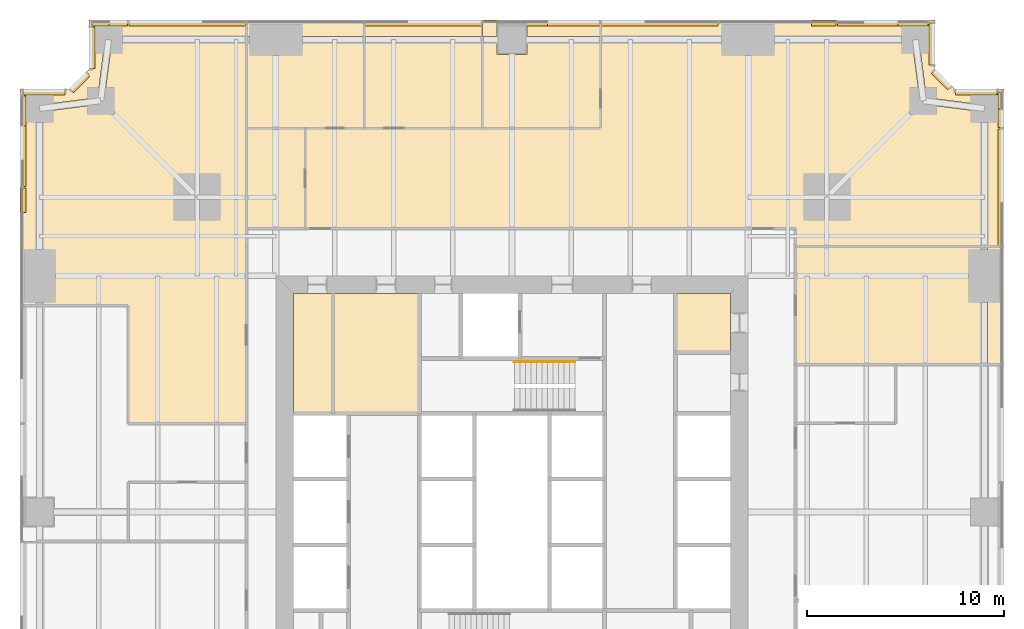
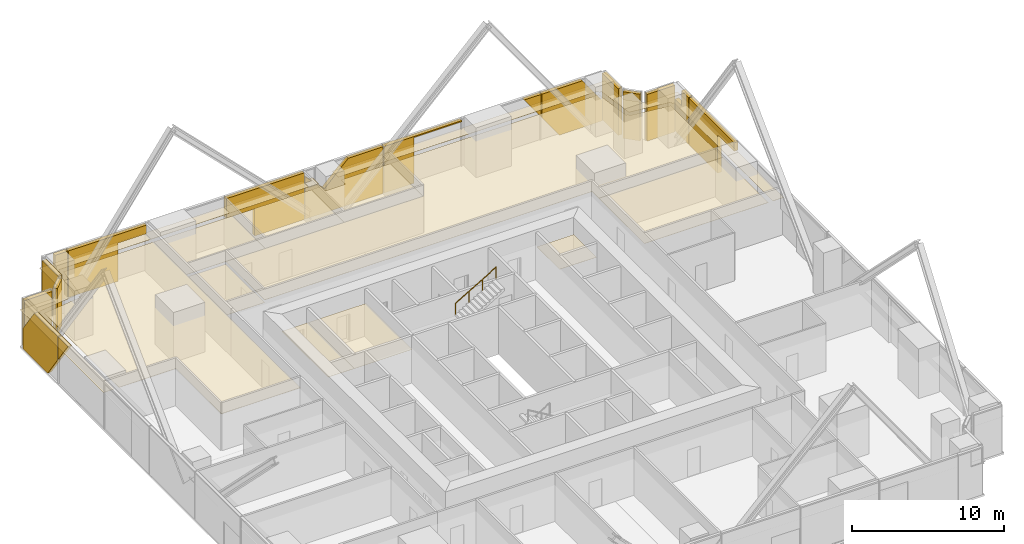
# One storey, part 13 of 13: 34 coverings, 1 railing.
"""IFC4 building model written with IfcOpenShell, lengths in metres."""

from ifc_helpers import new_model, si_unit, direction, frame, origin, origin_2d, place, context, subcontext, project, spatial, polyline, circle, outline, extrude, material, layer, layer_set, type_object, element, save


model = new_model("IFC4")

# Units and contexts
model_context = context("Model", 3, precision=1e-05, world=origin(), true_north=direction((0.0, 1.0)))
body_context = subcontext(model_context, "Body", "Model", "MODEL_VIEW")
ifc_project = project(units=[si_unit("LENGTHUNIT", "METRE"), si_unit("AREAUNIT", "SQUARE_METRE"), si_unit("VOLUMEUNIT", "CUBIC_METRE"), si_unit("PLANEANGLEUNIT", "RADIAN"), si_unit("MASSUNIT", "GRAM", prefix="KILO")], contexts=[model_context])

# Site, building, storey
site_placement = place(None, origin())
site = spatial("IfcSite", under=ifc_project, at=site_placement, CompositionType="ELEMENT")
building_placement = place(site_placement, origin())
building = spatial("IfcBuilding", under=site, at=building_placement, Name="Fenwick Lantern Interchange", CompositionType="ELEMENT")
storey_placement = place(building_placement, frame((0.0, 0.0, 67.0)))
storey = spatial("IfcBuildingStorey", under=building, at=storey_placement, Name="L15", CompositionType="ELEMENT", Elevation=67.0)

# Coverings
ifc_material_1 = material(Name="Mineral fibre acoustic tile on suspended grid")
ifc_layer_1 = layer(ifc_material_1, 0.02001953125)
ifc_layer_set_1 = layer_set([ifc_layer_1], Name="ACOUSTIC TILE CEILING 20")
covering_type_1 = type_object("IfcCoveringType", Name="ACOUSTIC TILE CEILING 20", PredefinedType="CEILING", material=ifc_layer_set_1)
covering_1_placement = place(storey_placement, frame((0.0, 0.0, 2.89990234375)))
element("IfcCovering", 1, at=covering_1_placement, inside=storey, type_object=covering_type_1, Name="Office suite ceiling", PredefinedType="CEILING", context=body_context, shape_type="SweptSolid", body=[
    extrude(outline(polyline([(39.39990234375, 32.5), (48.82763671875, 32.5), (48.82763671875, 37.0), (48.82763671875, 38.5), (39.39990234375, 38.5), (39.39990234375, 32.5)])), origin(), (0.0, 0.0, 1.0), 0.02001953125),
])
covering_2_placement = place(storey_placement, frame((0.0, 0.0, 2.89990234375)))
element("IfcCovering", 2, at=covering_2_placement, inside=storey, type_object=covering_type_1, Name="Office suite ceiling", PredefinedType="CEILING", context=body_context, shape_type="SweptSolid", body=[
    extrude(outline(polyline([(50.0, 32.5), (50.0, 38.5), (49.17236328125, 38.5), (49.17236328125, 37.0), (49.17236328125, 32.5), (50.0, 32.5)])), origin(), (0.0, 0.0, 1.0), 0.02001953125),
])
covering_3_placement = place(storey_placement, frame((0.0, 0.0, 2.89990234375)))
element("IfcCovering", 3, at=covering_3_placement, inside=storey, type_object=covering_type_1, Name="Office suite ceiling", PredefinedType="CEILING", context=body_context, shape_type="SweptSolid", body=[
    extrude(outline(polyline([(39.39990234375, 38.5), (48.82763671875, 38.5), (48.82763671875, 45.348388671875), (45.8779296875, 45.72900390625), (45.89990234375, 45.89990234375), (45.72900390625, 45.8779296875), (45.348388671875, 48.82763671875), (37.0, 48.82763671875), (29.5, 48.82763671875), (29.5, 44.5), (14.5, 44.5), (14.5, 39.39990234375), (39.39990234375, 39.39990234375), (39.39990234375, 38.5)])), origin(), (0.0, 0.0, 1.0), 0.02001953125),
])
covering_4_placement = place(storey_placement, frame((0.0, 0.0, 2.89990234375)))
element("IfcCovering", 4, at=covering_4_placement, inside=storey, type_object=covering_type_1, Name="Office suite ceiling", PredefinedType="CEILING", context=body_context, shape_type="SweptSolid", body=[
    extrude(outline(polyline([(46.5, 50.0), (29.5, 50.0), (29.5, 49.17236328125), (37.0, 49.17236328125), (45.5, 49.17236328125), (45.5, 49.0), (45.6708984375, 49.02197265625), (46.053955078125, 46.053955078125), (49.02197265625, 45.6708984375), (49.0, 45.5), (49.17236328125, 45.5), (49.17236328125, 38.5), (50.0, 38.5), (50.0, 46.5), (47.5, 46.5), (46.5, 47.5), (46.5, 50.0)])), origin(), (0.0, 0.0, 1.0), 0.02001953125),
])
covering_5_placement = place(storey_placement, frame((0.0, 0.0, 2.89990234375)))
element("IfcCovering", 5, at=covering_5_placement, inside=storey, type_object=covering_type_1, Name="Office ceiling", PredefinedType="CEILING", context=body_context, shape_type="SweptSolid", body=[
    extrude(outline(polyline([(29.5, 44.5), (29.5, 48.82763671875), (25.75, 48.82763671875), (25.75, 48.25), (24.25, 48.25), (24.25, 48.82763671875), (23.5, 48.82763671875), (23.5, 44.5), (29.5, 44.5)])), origin(), (0.0, 0.0, 1.0), 0.02001953125),
])
covering_6_placement = place(storey_placement, frame((0.0, 0.0, 2.89990234375)))
element("IfcCovering", 6, at=covering_6_placement, inside=storey, type_object=covering_type_1, Name="Office ceiling", PredefinedType="CEILING", context=body_context, shape_type="SweptSolid", body=[
    extrude(outline(polyline([(29.5, 49.17236328125), (29.5, 50.0), (25.75, 50.0), (25.75, 49.17236328125), (29.5, 49.17236328125)])), origin(), (0.0, 0.0, 1.0), 0.02001953125),
])
covering_7_placement = place(storey_placement, frame((0.0, 0.0, 2.89990234375)))
element("IfcCovering", 7, at=covering_7_placement, inside=storey, type_object=covering_type_1, Name="Office ceiling", PredefinedType="CEILING", context=body_context, shape_type="SweptSolid", body=[
    extrude(outline(polyline([(23.5, 50.0), (23.5, 49.17236328125), (24.25, 49.17236328125), (24.25, 50.0), (23.5, 50.0)])), origin(), (0.0, 0.0, 1.0), 0.02001953125),
])
covering_8_placement = place(storey_placement, frame((0.0, 0.0, 2.89990234375)))
element("IfcCovering", 8, at=covering_8_placement, inside=storey, type_object=covering_type_1, Name="Meeting room ceiling", PredefinedType="CEILING", context=body_context, shape_type="SweptSolid", body=[
    extrude(outline(polyline([(23.5, 44.5), (23.5, 48.82763671875), (17.5, 48.82763671875), (17.5, 44.5), (23.5, 44.5)])), origin(), (0.0, 0.0, 1.0), 0.02001953125),
])
covering_9_placement = place(storey_placement, frame((0.0, 0.0, 2.89990234375)))
element("IfcCovering", 9, at=covering_9_placement, inside=storey, type_object=covering_type_1, Name="Meeting room ceiling", PredefinedType="CEILING", context=body_context, shape_type="SweptSolid", body=[
    extrude(outline(polyline([(17.5, 50.0), (17.5, 49.17236328125), (23.5, 49.17236328125), (23.5, 50.0), (17.5, 50.0)])), origin(), (0.0, 0.0, 1.0), 0.02001953125),
])
covering_10_placement = place(storey_placement, frame((0.0, 0.0, 2.89990234375)))
element("IfcCovering", 10, at=covering_10_placement, inside=storey, type_object=covering_type_1, Name="Office ceiling", PredefinedType="CEILING", context=body_context, shape_type="SweptSolid", body=[
    extrude(outline(polyline([(17.5, 44.5), (17.5, 48.82763671875), (13.0, 48.82763671875), (11.5, 48.82763671875), (11.5, 44.5), (17.5, 44.5)])), origin(), (0.0, 0.0, 1.0), 0.02001953125),
])
covering_11_placement = place(storey_placement, frame((0.0, 0.0, 2.89990234375)))
element("IfcCovering", 11, at=covering_11_placement, inside=storey, type_object=covering_type_1, Name="Office ceiling", PredefinedType="CEILING", context=body_context, shape_type="SweptSolid", body=[
    extrude(outline(polyline([(11.5, 50.0), (11.5, 49.17236328125), (13.0, 49.17236328125), (17.5, 49.17236328125), (17.5, 50.0), (11.5, 50.0)])), origin(), (0.0, 0.0, 1.0), 0.02001953125),
])
covering_12_placement = place(storey_placement, frame((0.0, 0.0, 2.89990234375)))
element("IfcCovering", 12, at=covering_12_placement, inside=storey, type_object=covering_type_1, Name="Office suite ceiling", PredefinedType="CEILING", context=body_context, shape_type="SweptSolid", body=[
    extrude(outline(polyline([(11.5, 29.5), (11.5, 48.82763671875), (4.651611328125, 48.82763671875), (4.27099609375, 45.8779296875), (4.10009765625, 45.89990234375), (4.1220703125, 45.72900390625), (1.17236328125, 45.348388671875), (1.17236328125, 37.0), (1.17236328125, 35.5), (5.5, 35.5), (5.5, 29.5), (11.5, 29.5)])), origin(), (0.0, 0.0, 1.0), 0.02001953125),
])
covering_13_placement = place(storey_placement, frame((0.0, 0.0, 2.89990234375)))
element("IfcCovering", 13, at=covering_13_placement, inside=storey, type_object=covering_type_1, Name="Office suite ceiling", PredefinedType="CEILING", context=body_context, shape_type="SweptSolid", body=[
    extrude(outline(polyline([(3.5, 47.5), (2.5, 46.5), (0.0, 46.5), (0.0, 35.5), (0.82763671875, 35.5), (0.82763671875, 37.0), (0.82763671875, 45.5), (1.0, 45.5), (0.97802734375, 45.6708984375), (3.946044921875, 46.053955078125), (4.3291015625, 49.02197265625), (4.5, 49.0), (4.5, 49.17236328125), (11.5, 49.17236328125), (11.5, 50.0), (3.5, 50.0), (3.5, 47.5)])), origin(), (0.0, 0.0, 1.0), 0.02001953125),
])
ifc_material_2 = material(Name="Granite cladding, warm grey flamed finish, on aluminium carrier frame", Category="masonry")
ifc_layer_2 = layer(ifc_material_2, 0.300048828125)
ifc_layer_set_2 = layer_set([ifc_layer_2], Name="BRACE CASING PANEL 300")
covering_type_2 = type_object("IfcCoveringType", Name="BRACE CASING PANEL 300", PredefinedType="CLADDING", material=ifc_layer_set_2)
covering_14_placement = place(storey_placement, frame((49.89990234375, 3.60009765625, 0.0), z_axis=(0.0, 0.0, 1.0), x_axis=(0.0, 1.0, 0.0)))
element("IfcCovering", 14, at=covering_14_placement, inside=storey, type_object=covering_type_2, Name="Brace casing 05 bay 06a", PredefinedType="CLADDING", context=body_context, shape_type="SweptSolid", body=[
    extrude(outline(polyline([(37.097412109375, 0.0), (40.867431640625, 0.0), (40.867431640625, 3.75), (34.9326171875, 3.75), (34.9326171875, 3.059814453125), (37.097412109375, 3.059814453125), (37.097412109375, 0.0)])), frame((0.0, 0.2001953125, 0.0), z_axis=(0.0, -1.0, 0.0), x_axis=(1.0, 0.0, 0.0)), (0.0, 0.0, 1.0), 0.300048828125),
])
covering_15_placement = place(storey_placement, frame((49.89990234375, 3.60009765625, 0.0), z_axis=(0.0, 0.0, 1.0), x_axis=(0.0, 1.0, 0.0)))
element("IfcCovering", 15, at=covering_15_placement, inside=storey, type_object=covering_type_2, Name="Brace casing 05 bay 07a", PredefinedType="CLADDING", context=body_context, shape_type="SweptSolid", body=[
    extrude(outline(polyline([(40.9326171875, 0.0), (42.735107421875, 0.0), (42.735107421875, 2.54296875), (41.875244140625, 2.54296875), (41.875244140625, 3.75), (40.9326171875, 3.75), (40.9326171875, 0.0)])), frame((0.0, 0.2001953125, 0.0), z_axis=(0.0, -1.0, 0.0), x_axis=(1.0, 0.0, 0.0)), (0.0, 0.0, 1.0), 0.300048828125),
])
covering_16_placement = place(storey_placement, frame((49.89990234375, 46.39990234375, 0.0), z_axis=(0.0, 0.0, 1.0), x_axis=(-1.0, 0.0, 0.0)))
element("IfcCovering", 16, at=covering_16_placement, inside=storey, type_object=covering_type_2, Name="Brace casing 06 bay 00a", PredefinedType="CLADDING", context=body_context, shape_type="SweptSolid", body=[
    extrude(outline(polyline([(0.264892578125, 0.0), (2.37646484375, 0.0), (2.37646484375, 3.75), (0.264892578125, 3.75), (0.264892578125, 0.0)])), frame((0.0, 0.2001953125, 0.0), z_axis=(0.0, -1.0, 0.0), x_axis=(1.0, 0.0, 0.0)), (0.0, 0.0, 1.0), 0.300048828125),
])
covering_17_placement = place(storey_placement, frame((47.45849609375, 46.39990234375, 0.0), z_axis=(0.0, 0.0, 1.0), x_axis=(-0.707106781187, 0.707106781187, 0.0)))
element("IfcCovering", 17, at=covering_17_placement, inside=storey, type_object=covering_type_2, Name="Brace casing 07 bay 00a", PredefinedType="CLADDING", context=body_context, shape_type="SweptSolid", body=[
    extrude(outline(polyline([(0.264892578125, 0.0), (1.43212890625, 0.0), (1.43212890625, 3.75), (0.264892578125, 3.75), (0.264892578125, 0.0)])), frame((0.0, 0.2001953125, 0.0), z_axis=(0.0, -1.0, 0.0), x_axis=(1.0, 0.0, 0.0)), (0.0, 0.0, 1.0), 0.300048828125),
])
covering_18_placement = place(storey_placement, frame((46.39990234375, 47.45849609375, 0.0), z_axis=(0.0, 0.0, 1.0), x_axis=(0.0, 1.0, 0.0)))
element("IfcCovering", 18, at=covering_18_placement, inside=storey, type_object=covering_type_2, Name="Brace casing 08 bay 00a", PredefinedType="CLADDING", context=body_context, shape_type="SweptSolid", body=[
    extrude(outline(polyline([(0.264892578125, 0.0), (2.37646484375, 0.0), (2.37646484375, 3.75), (0.264892578125, 3.75), (0.264892578125, 0.0)])), frame((0.0, 0.2001953125, 0.0), z_axis=(0.0, -1.0, 0.0), x_axis=(1.0, 0.0, 0.0)), (0.0, 0.0, 1.0), 0.300048828125),
])
covering_19_placement = place(storey_placement, frame((46.39990234375, 49.89990234375, 0.0), z_axis=(0.0, 0.0, 1.0), x_axis=(-1.0, 0.0, 0.0)))
element("IfcCovering", 19, at=covering_19_placement, inside=storey, type_object=covering_type_2, Name="Brace casing 09 bay 00a", PredefinedType="CLADDING", context=body_context, shape_type="SweptSolid", body=[
    extrude(outline(polyline([(0.264892578125, 0.0), (3.53515625, 0.0), (4.867431640625, 1.881103515625), (4.867431640625, 3.75), (1.77978515625, 3.75), (0.264892578125, 1.611572265625), (0.264892578125, 0.0)])), frame((0.0, 0.2001953125, 0.0), z_axis=(0.0, -1.0, 0.0), x_axis=(1.0, 0.0, 0.0)), (0.0, 0.0, 1.0), 0.300048828125),
])
covering_20_placement = place(storey_placement, frame((46.39990234375, 49.89990234375, 1.972900390625), z_axis=(0.0, 0.0, 1.0), x_axis=(-1.0, 0.0, 0.0)))
element("IfcCovering", 20, at=covering_20_placement, inside=storey, type_object=covering_type_2, Name="Brace casing 09 bay 01a", PredefinedType="CLADDING", context=body_context, shape_type="SweptSolid", body=[
    extrude(outline(polyline([(4.9326171875, 0.0), (6.19140625, 1.777099609375), (4.9326171875, 1.777099609375), (4.9326171875, 0.0)])), frame((0.0, 0.2001953125, 0.0), z_axis=(0.0, -1.0, 0.0), x_axis=(1.0, 0.0, 0.0)), (0.0, 0.0, 1.0), 0.300048828125),
])
covering_21_placement = place(storey_placement, frame((46.39990234375, 49.89990234375, 0.0), z_axis=(0.0, 0.0, 1.0), x_axis=(-1.0, 0.0, 0.0)))
element("IfcCovering", 21, at=covering_21_placement, inside=storey, type_object=covering_type_2, Name="Brace casing 09 bay 02a", PredefinedType="CLADDING", context=body_context, shape_type="SweptSolid", body=[
    extrude(outline(polyline([(14.592529296875, 0.0), (16.867431640625, 0.0), (16.867431640625, 3.75), (10.9326171875, 3.75), (10.9326171875, 3.656005859375), (14.592529296875, 3.656005859375), (14.592529296875, 0.0)])), frame((0.0, 0.2001953125, 0.0), z_axis=(0.0, -1.0, 0.0), x_axis=(1.0, 0.0, 0.0)), (0.0, 0.0, 1.0), 0.300048828125),
])
covering_22_placement = place(storey_placement, frame((46.39990234375, 49.89990234375, 0.0), z_axis=(0.0, 0.0, 1.0), x_axis=(-1.0, 0.0, 0.0)))
element("IfcCovering", 22, at=covering_22_placement, inside=storey, type_object=covering_type_2, Name="Brace casing 09 bay 03a", PredefinedType="CLADDING", context=body_context, shape_type="SweptSolid", body=[
    extrude(outline(polyline([(16.9326171875, 0.0), (22.867431640625, 0.0), (22.867431640625, 3.406982421875), (21.39990234375, 1.939453125), (19.589599609375, 3.75), (16.9326171875, 3.75), (16.9326171875, 0.0)])), frame((0.0, 0.2001953125, 0.0), z_axis=(0.0, -1.0, 0.0), x_axis=(1.0, 0.0, 0.0)), (0.0, 0.0, 1.0), 0.300048828125),
])
covering_23_placement = place(storey_placement, frame((46.39990234375, 49.89990234375, 0.0), z_axis=(0.0, 0.0, 1.0), x_axis=(-1.0, 0.0, 0.0)))
element("IfcCovering", 23, at=covering_23_placement, inside=storey, type_object=covering_type_2, Name="Brace casing 09 bay 04a", PredefinedType="CLADDING", context=body_context, shape_type="SweptSolid", body=[
    extrude(outline(polyline([(22.9326171875, 0.0), (26.711669921875, 0.0), (26.711669921875, 2.159912109375), (28.867431640625, 2.159912109375), (28.867431640625, 3.75), (22.9326171875, 3.75), (22.9326171875, 0.0)])), frame((0.0, 0.2001953125, 0.0), z_axis=(0.0, -1.0, 0.0), x_axis=(1.0, 0.0, 0.0)), (0.0, 0.0, 1.0), 0.300048828125),
])
covering_24_placement = place(storey_placement, frame((46.39990234375, 49.89990234375, 0.0), z_axis=(0.0, 0.0, 1.0), x_axis=(-1.0, 0.0, 0.0)))
element("IfcCovering", 24, at=covering_24_placement, inside=storey, type_object=covering_type_2, Name="Brace casing 09 bay 06a", PredefinedType="CLADDING", context=body_context, shape_type="SweptSolid", body=[
    extrude(outline(polyline([(37.097412109375, 0.0), (40.867431640625, 0.0), (40.867431640625, 3.75), (34.9326171875, 3.75), (34.9326171875, 3.059814453125), (37.097412109375, 3.059814453125), (37.097412109375, 0.0)])), frame((0.0, 0.2001953125, 0.0), z_axis=(0.0, -1.0, 0.0), x_axis=(1.0, 0.0, 0.0)), (0.0, 0.0, 1.0), 0.300048828125),
])
covering_25_placement = place(storey_placement, frame((46.39990234375, 49.89990234375, 0.0), z_axis=(0.0, 0.0, 1.0), x_axis=(-1.0, 0.0, 0.0)))
element("IfcCovering", 25, at=covering_25_placement, inside=storey, type_object=covering_type_2, Name="Brace casing 09 bay 07a", PredefinedType="CLADDING", context=body_context, shape_type="SweptSolid", body=[
    extrude(outline(polyline([(40.9326171875, 0.0), (42.735107421875, 0.0), (42.735107421875, 2.54296875), (41.875244140625, 2.54296875), (41.875244140625, 3.75), (40.9326171875, 3.75), (40.9326171875, 0.0)])), frame((0.0, 0.2001953125, 0.0), z_axis=(0.0, -1.0, 0.0), x_axis=(1.0, 0.0, 0.0)), (0.0, 0.0, 1.0), 0.300048828125),
])
covering_26_placement = place(storey_placement, frame((3.60009765625, 49.89990234375, 0.0), z_axis=(0.0, 0.0, 1.0), x_axis=(0.0, -1.0, 0.0)))
element("IfcCovering", 26, at=covering_26_placement, inside=storey, type_object=covering_type_2, Name="Brace casing 10 bay 00a", PredefinedType="CLADDING", context=body_context, shape_type="SweptSolid", body=[
    extrude(outline(polyline([(0.264892578125, 0.0), (2.37646484375, 0.0), (2.37646484375, 3.75), (0.264892578125, 3.75), (0.264892578125, 0.0)])), frame((0.0, 0.2001953125, 0.0), z_axis=(0.0, -1.0, 0.0), x_axis=(1.0, 0.0, 0.0)), (0.0, 0.0, 1.0), 0.300048828125),
])
covering_27_placement = place(storey_placement, frame((3.60009765625, 47.45849609375, 0.0), z_axis=(0.0, 0.0, 1.0), x_axis=(-0.707106781187, -0.707106781187, 0.0)))
element("IfcCovering", 27, at=covering_27_placement, inside=storey, type_object=covering_type_2, Name="Brace casing 11 bay 00a", PredefinedType="CLADDING", context=body_context, shape_type="SweptSolid", body=[
    extrude(outline(polyline([(0.264892578125, 0.0), (1.43212890625, 0.0), (1.43212890625, 3.75), (0.264892578125, 3.75), (0.264892578125, 0.0)])), frame((0.0, 0.2001953125, 0.0), z_axis=(0.0, -1.0, 0.0), x_axis=(1.0, 0.0, 0.0)), (0.0, 0.0, 1.0), 0.300048828125),
])
covering_28_placement = place(storey_placement, frame((2.54150390625, 46.39990234375, 0.0), z_axis=(0.0, 0.0, 1.0), x_axis=(-1.0, 0.0, 0.0)))
element("IfcCovering", 28, at=covering_28_placement, inside=storey, type_object=covering_type_2, Name="Brace casing 12 bay 00a", PredefinedType="CLADDING", context=body_context, shape_type="SweptSolid", body=[
    extrude(outline(polyline([(0.264892578125, 0.0), (2.37646484375, 0.0), (2.37646484375, 3.75), (0.264892578125, 3.75), (0.264892578125, 0.0)])), frame((0.0, 0.2001953125, 0.0), z_axis=(0.0, -1.0, 0.0), x_axis=(1.0, 0.0, 0.0)), (0.0, 0.0, 1.0), 0.300048828125),
])
covering_29_placement = place(storey_placement, frame((0.10009765625, 46.39990234375, 0.0), z_axis=(0.0, 0.0, 1.0), x_axis=(0.0, -1.0, 0.0)))
element("IfcCovering", 29, at=covering_29_placement, inside=storey, type_object=covering_type_2, Name="Brace casing 13 bay 00a", PredefinedType="CLADDING", context=body_context, shape_type="SweptSolid", body=[
    extrude(outline(polyline([(0.264892578125, 0.0), (3.53515625, 0.0), (4.867431640625, 1.881103515625), (4.867431640625, 3.75), (1.77978515625, 3.75), (0.264892578125, 1.611572265625), (0.264892578125, 0.0)])), frame((0.0, 0.2001953125, 0.0), z_axis=(0.0, -1.0, 0.0), x_axis=(1.0, 0.0, 0.0)), (0.0, 0.0, 1.0), 0.300048828125),
])
covering_30_placement = place(storey_placement, frame((0.10009765625, 46.39990234375, 1.972900390625), z_axis=(0.0, 0.0, 1.0), x_axis=(0.0, -1.0, 0.0)))
element("IfcCovering", 30, at=covering_30_placement, inside=storey, type_object=covering_type_2, Name="Brace casing 13 bay 01a", PredefinedType="CLADDING", context=body_context, shape_type="SweptSolid", body=[
    extrude(outline(polyline([(4.9326171875, 0.0), (6.19140625, 1.777099609375), (4.9326171875, 1.777099609375), (4.9326171875, 0.0)])), frame((0.0, 0.2001953125, 0.0), z_axis=(0.0, -1.0, 0.0), x_axis=(1.0, 0.0, 0.0)), (0.0, 0.0, 1.0), 0.300048828125),
])

# Railing
ifc_material_3 = material(Name="Stainless steel handrail", Category="steel")
railing_type = type_object("IfcRailingType", Name="HANDRAIL 900", PredefinedType="HANDRAIL", material=ifc_material_3)
railing_placement = place(storey_placement, frame((25.1201171875, 32.6259765625, 2.166748046875)))
element("IfcRailing", 31, at=railing_placement, inside=storey, type_object=railing_type, Name="L15/STAIR/ST2/HR2", PredefinedType="HANDRAIL", context=body_context, shape_type="SweptSolid", body=[
    extrude(circle(Radius=0.02392578125, at=origin_2d()), frame((0.0, 0.0, 0.8759765625), z_axis=(0.859290745958, 0.0, 0.51148745235), x_axis=(0.0, 1.0, 0.0)), (0.0, 0.0, 1.0), 3.584228515625),
    extrude(circle(Radius=0.02099609375, at=origin_2d()), origin(), (0.0, 0.0, 1.0), 0.851806640625),
    extrude(circle(Radius=0.02099609375, at=origin_2d()), frame((1.026611328125, 0.0, 0.611083984375)), (0.0, 0.0, 1.0), 0.851806640625),
    extrude(circle(Radius=0.02099609375, at=origin_2d()), frame((2.05322265625, 0.0, 1.22216796875)), (0.0, 0.0, 1.0), 0.851806640625),
    extrude(circle(Radius=0.02099609375, at=origin_2d()), frame((3.079833984375, 0.0, 1.833251953125)), (0.0, 0.0, 1.0), 0.851806640625),
])

# Coverings
ifc_material_4 = material(Name="Moisture resistant gypsum board on suspended frame, painted")
ifc_layer_3 = layer(ifc_material_4, 0.014892578125)
ifc_layer_set_3 = layer_set([ifc_layer_3], Name="MOISTURE RESISTANT CEILING 15")
covering_type_3 = type_object("IfcCoveringType", Name="MOISTURE RESISTANT CEILING 15", PredefinedType="CEILING", material=ifc_layer_set_3)
covering_31_placement = place(storey_placement, frame((0.0, 0.0, 2.60009765625)))
element("IfcCovering", 32, at=covering_31_placement, inside=storey, type_object=covering_type_3, Name="Women's WC ceiling", PredefinedType="CEILING", context=body_context, shape_type="SweptSolid", body=[
    extrude(outline(polyline([(20.300048828125, 36.10009765625), (15.89990234375, 36.10009765625), (15.89990234375, 30.0), (20.300048828125, 30.0), (20.300048828125, 36.10009765625)])), origin(), (0.0, 0.0, 1.0), 0.014892578125),
])
covering_32_placement = place(storey_placement, frame((0.0, 0.0, 2.60009765625)))
element("IfcCovering", 33, at=covering_32_placement, inside=storey, type_object=covering_type_3, Name="Men's WC ceiling", PredefinedType="CEILING", context=body_context, shape_type="SweptSolid", body=[
    extrude(outline(polyline([(15.89990234375, 36.10009765625), (13.89990234375, 36.10009765625), (13.89990234375, 30.0), (15.89990234375, 30.0), (15.89990234375, 36.10009765625)])), origin(), (0.0, 0.0, 1.0), 0.014892578125),
])
covering_33_placement = place(storey_placement, frame((0.0, 0.0, 2.60009765625)))
element("IfcCovering", 34, at=covering_33_placement, inside=storey, type_object=covering_type_3, Name="Accessible WC ceiling", PredefinedType="CEILING", context=body_context, shape_type="SweptSolid", body=[
    extrude(outline(polyline([(36.10009765625, 36.10009765625), (33.300048828125, 36.10009765625), (33.300048828125, 33.10009765625), (36.10009765625, 33.10009765625), (36.10009765625, 36.10009765625)])), origin(), (0.0, 0.0, 1.0), 0.014892578125),
])
covering_34_placement = place(storey_placement, frame((0.0, 0.0, 2.699951171875)))
element("IfcCovering", 35, at=covering_34_placement, inside=storey, type_object=covering_type_3, Name="Pantry ceiling", PredefinedType="CEILING", context=body_context, shape_type="SweptSolid", body=[
    extrude(outline(polyline([(14.5, 44.5), (11.5, 44.5), (11.5, 39.39990234375), (14.5, 39.39990234375), (14.5, 44.5)])), origin(), (0.0, 0.0, 1.0), 0.01513671875),
])

save(model, "model.ifc")
